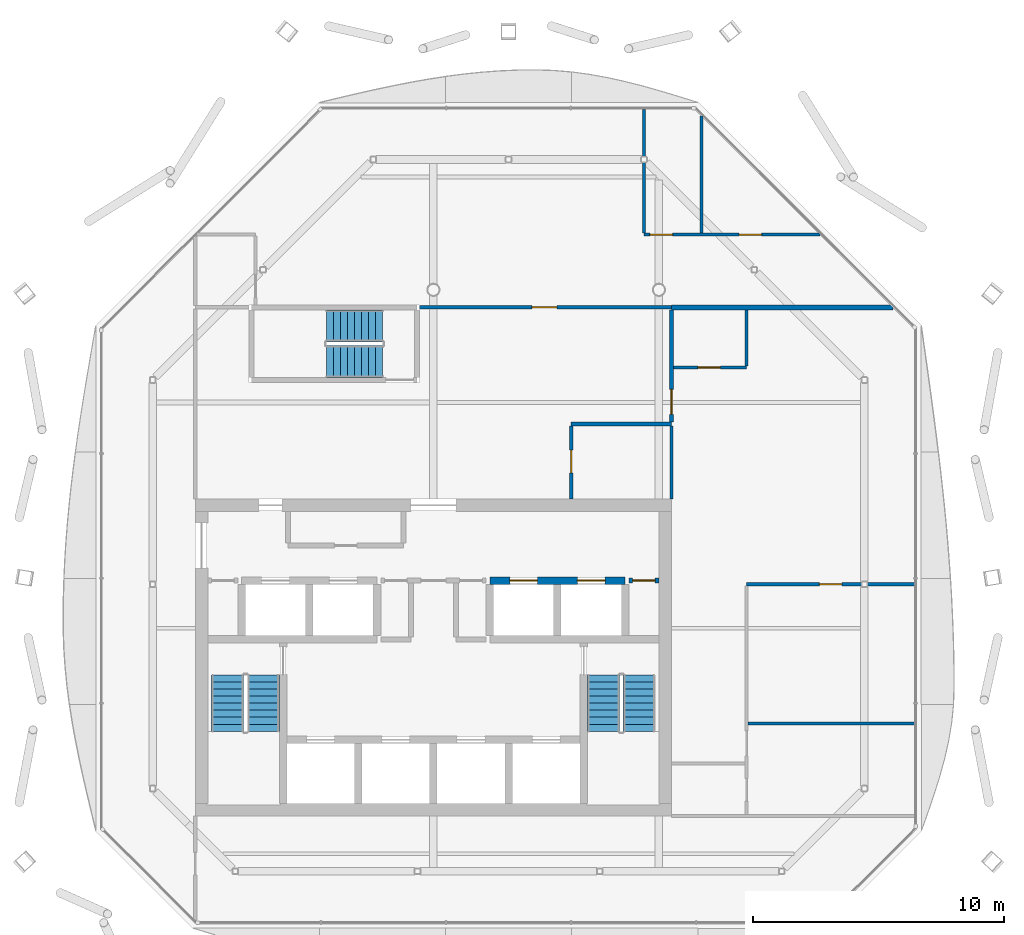
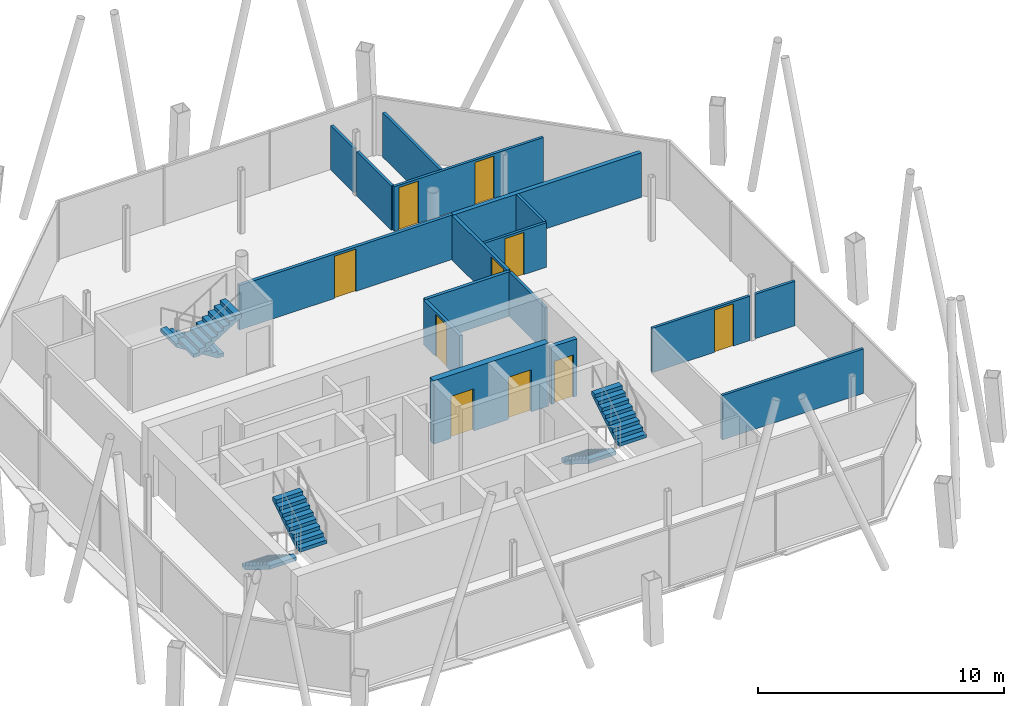
# One storey, part 11 of 14: 17 walls, 10 doors, 6 stair flights, 10 openings, 3 elements without a shape of their own.
"""IFC4 building model written with IfcOpenShell, lengths in metres."""

from ifc_helpers import new_model, si_unit, direction, frame, frame_2d, origin, place, context, subcontext, project, spatial, polyline, rectangle, outline, extrude, material, layer, layer_set, type_object, element, fill, aggregate, save


model = new_model("IFC4")

# Units and contexts
model_context = context("Model", 3, precision=1e-05, world=origin(), true_north=direction((0.0, 1.0)))
body_context = subcontext(model_context, "Body", "Model", "MODEL_VIEW")
ifc_project = project(units=[si_unit("LENGTHUNIT", "METRE"), si_unit("AREAUNIT", "SQUARE_METRE"), si_unit("VOLUMEUNIT", "CUBIC_METRE"), si_unit("PLANEANGLEUNIT", "RADIAN"), si_unit("MASSUNIT", "GRAM", prefix="KILO")], contexts=[model_context])

# Site, building, storey
site_placement = place(None, origin())
site = spatial("IfcSite", under=ifc_project, at=site_placement, CompositionType="ELEMENT")
building_placement = place(site_placement, origin())
building = spatial("IfcBuilding", under=site, at=building_placement, Name="Tskaro Facet Tower", CompositionType="ELEMENT")
storey_placement = place(building_placement, frame((0.0, 0.0, 268.949951171875)))
storey = spatial("IfcBuildingStorey", under=building, at=storey_placement, Name="L71", CompositionType="ELEMENT", Elevation=268.949951171875)

# Wall, openings, doors
ifc_material_1 = material(Name="Concrete C60/75", Category="concrete")
ifc_layer_1 = layer(ifc_material_1, 0.300048828125, Name="Concrete C60/75")
ifc_layer_set_1 = layer_set([ifc_layer_1], Name="Concrete C60/75")
wall_type_1 = type_object("IfcWallType", Name="CORE-SHAFT", PredefinedType="SHEAR", material=ifc_layer_set_1)
wall_1_placement = place(storey_placement, frame((2.25, -2.60009765625, 0.0), z_axis=(0.0, 0.0, 1.0), x_axis=(1.0, 0.0, 0.0)))
wall_1 = element("IfcWall", 1, at=wall_1_placement, inside=storey, type_object=wall_type_1, Name="Shaft wall W014", PredefinedType="SHEAR", context=body_context, shape_type="SweptSolid", body=[
    extrude(rectangle(XDim=5.39990234375, YDim=0.300048828125, at=frame_2d((2.699951171875, 0.0))), origin(), (0.0, 0.0, 1.0), 3.150146484375),
])
opening_1_placement = place(wall_1_placement, frame((0.800048828125, 0.0, 0.0)))
opening_1 = element("IfcOpeningElement", 2, at=opening_1_placement, cuts=wall_1, Name="Opening LD-HB3", PredefinedType="OPENING", context=body_context, shape_type="SweptSolid", body=[
    extrude(rectangle(XDim=1.10009765625, YDim=2.10009765625, at=frame_2d((0.550048828125, 1.050048828125))), frame((0.0, 0.159912109375, 0.0), z_axis=(0.0, -1.0, 0.0), x_axis=(1.0, 0.0, 0.0)), (0.0, 0.0, 1.0), 0.320068359375),
])
opening_2_placement = place(wall_1_placement, frame((3.5, 0.0, 0.0)))
opening_2 = element("IfcOpeningElement", 3, at=opening_2_placement, cuts=wall_1, Name="Opening LD-HB4", PredefinedType="OPENING", context=body_context, shape_type="SweptSolid", body=[
    extrude(rectangle(XDim=1.10009765625, YDim=2.10009765625, at=frame_2d((0.550048828125, 1.050048828125))), frame((0.0, 0.159912109375, 0.0), z_axis=(0.0, -1.0, 0.0), x_axis=(1.0, 0.0, 0.0)), (0.0, 0.0, 1.0), 0.320068359375),
])
ifc_material_2 = material(Name="Stainless steel", Category="steel")
door_type_1 = type_object("IfcDoorType", Name="D-LANDING", OperationType="NOTDEFINED", PredefinedType="DOOR", material=ifc_material_2)
door_1_placement = place(opening_1_placement, origin())
door_1 = element("IfcDoor", 4, at=door_1_placement, inside=storey, type_object=door_type_1, Name="Landing door HB3", OperationType="DOUBLE_DOOR_SLIDING", OverallHeight=2.10009765625, OverallWidth=1.10009765625, PredefinedType="DOOR", context=body_context, shape_type="SweptSolid", body=[
    extrude(rectangle(XDim=1.10009765625, YDim=2.10009765625, at=frame_2d((0.550048828125, 1.050048828125))), frame((0.0, 0.02490234375, 0.0), z_axis=(0.0, -1.0, 0.0), x_axis=(1.0, 0.0, 0.0)), (0.0, 0.0, 1.0), 0.050048828125),
])
fill(opening_1, door_1)
door_2_placement = place(opening_2_placement, origin())
door_2 = element("IfcDoor", 5, at=door_2_placement, inside=storey, type_object=door_type_1, Name="Landing door HB4", OperationType="DOUBLE_DOOR_SLIDING", OverallHeight=2.10009765625, OverallWidth=1.10009765625, PredefinedType="DOOR", context=body_context, shape_type="SweptSolid", body=[
    extrude(rectangle(XDim=1.10009765625, YDim=2.10009765625, at=frame_2d((0.550048828125, 1.050048828125))), frame((0.0, 0.02490234375, 0.0), z_axis=(0.0, -1.0, 0.0), x_axis=(1.0, 0.0, 0.0)), (0.0, 0.0, 1.0), 0.050048828125),
])
fill(opening_2, door_2)

# Wall, opening, door
ifc_material_3 = material(Name="Concrete C20/25", Category="concrete")
ifc_layer_2 = layer(ifc_material_3, 0.199951171875, Name="Concrete C20/25")
ifc_layer_set_2 = layer_set([ifc_layer_2], Name="Concrete C20/25")
wall_type_2 = type_object("IfcWallType", Name="CORE-WALL", PredefinedType="SOLIDWALL", material=ifc_layer_set_2)
wall_2_placement = place(storey_placement, frame((9.0, -2.60009765625, 0.0), z_axis=(0.0, 0.0, 1.0), x_axis=(-1.0, 0.0, 0.0)))
wall_2 = element("IfcWall", 6, at=wall_2_placement, inside=storey, type_object=wall_type_2, Name="Core room wall W015", PredefinedType="SOLIDWALL", context=body_context, shape_type="SweptSolid", body=[
    extrude(rectangle(XDim=1.199951171875, YDim=0.199951171875, at=frame_2d((0.60009765625, 0.0))), origin(), (0.0, 0.0, 1.0), 2.85009765625),
])
opening_3_placement = place(wall_2_placement, frame((0.14990234375, 0.0, 0.0)))
opening_3 = element("IfcOpeningElement", 7, at=opening_3_placement, cuts=wall_2, Name="Opening T21-D08", PredefinedType="OPENING", context=body_context, shape_type="SweptSolid", body=[
    extrude(rectangle(XDim=0.89990234375, YDim=2.10009765625, at=frame_2d((0.449951171875, 1.050048828125))), frame((0.0, 0.10986328125, 0.0), z_axis=(0.0, -1.0, 0.0), x_axis=(1.0, 0.0, 0.0)), (0.0, 0.0, 1.0), 0.219970703125),
])
ifc_material_4 = material(Name="Timber", Category="wood")
door_type_2 = type_object("IfcDoorType", Name="D-ROOM", OperationType="NOTDEFINED", PredefinedType="DOOR", material=ifc_material_4)
door_3_placement = place(opening_3_placement, origin())
door_3 = element("IfcDoor", 8, at=door_3_placement, inside=storey, type_object=door_type_2, Name="Door T21-D08", OperationType="SINGLE_SWING_RIGHT", OverallHeight=2.10009765625, OverallWidth=0.89990234375, PredefinedType="DOOR", context=body_context, shape_type="SweptSolid", body=[
    extrude(rectangle(XDim=0.89990234375, YDim=2.10009765625, at=frame_2d((0.449951171875, 1.050048828125))), frame((0.0, 0.02490234375, 0.0), z_axis=(0.0, -1.0, 0.0), x_axis=(1.0, 0.0, 0.0)), (0.0, 0.0, 1.0), 0.050048828125),
])
fill(opening_3, door_3)

# Wall
ifc_material_5 = material(Name="Gypsum board on steel studs", Category="steel")
ifc_layer_3 = layer(ifc_material_5, 0.125, Name="Gypsum board on steel studs")
ifc_layer_set_3 = layer_set([ifc_layer_3], Name="Gypsum board on steel studs")
wall_type_3 = type_object("IfcWallType", Name="PART", PredefinedType="PARTITIONING", material=ifc_layer_set_3)
wall_3_placement = place(storey_placement, frame((12.5625, -8.300048828125, 0.0), z_axis=(0.0, 0.0, 1.0), x_axis=(1.0, 0.0, 0.0)))
element("IfcWall", 9, at=wall_3_placement, inside=storey, type_object=wall_type_3, Name="Partition W004", PredefinedType="PARTITIONING", context=body_context, shape_type="SweptSolid", body=[
    extrude(rectangle(XDim=6.632568359375, YDim=0.125, at=frame_2d((3.31640625, 0.0))), origin(), (0.0, 0.0, 1.0), 2.2099609375),
])

# Wall, opening, door
wall_4_placement = place(storey_placement, frame((17.074951171875, -2.75, 0.0), z_axis=(0.0, 0.0, 1.0), x_axis=(-1.0, 0.0, 0.0)))
wall_4 = element("IfcWall", 10, at=wall_4_placement, inside=storey, type_object=wall_type_3, Name="Partition W009", PredefinedType="PARTITIONING", context=body_context, shape_type="SweptSolid", body=[
    extrude(rectangle(XDim=4.574951171875, YDim=0.125, at=frame_2d((2.28759765625, 0.0))), origin(), (0.0, 0.0, 1.0), 2.2099609375),
])
opening_4_placement = place(wall_4_placement, frame((0.777587890625, 0.0, 0.0)))
opening_4 = element("IfcOpeningElement", 11, at=opening_4_placement, cuts=wall_4, Name="Opening T21-D04", PredefinedType="OPENING", context=body_context, shape_type="SweptSolid", body=[
    extrude(rectangle(XDim=0.89990234375, YDim=2.10009765625, at=frame_2d((0.449951171875, 1.050048828125))), frame((0.0, 0.072509765625, 0.0), z_axis=(0.0, -1.0, 0.0), x_axis=(1.0, 0.0, 0.0)), (0.0, 0.0, 1.0), 0.14501953125),
])
door_4_placement = place(opening_4_placement, origin())
door_4 = element("IfcDoor", 12, at=door_4_placement, inside=storey, type_object=door_type_2, Name="Door T21-D04", OperationType="SINGLE_SWING_RIGHT", OverallHeight=2.10009765625, OverallWidth=0.89990234375, PredefinedType="DOOR", context=body_context, shape_type="SweptSolid", body=[
    extrude(rectangle(XDim=0.89990234375, YDim=2.10009765625, at=frame_2d((0.449951171875, 1.050048828125))), frame((0.0, 0.02490234375, 0.0), z_axis=(0.0, -1.0, 0.0), x_axis=(1.0, 0.0, 0.0)), (0.0, 0.0, 1.0), 0.050048828125),
])
fill(opening_4, door_4)

# Wall
wall_5_placement = place(storey_placement, frame((17.324951171875, -2.75, 0.0), z_axis=(0.0, 0.0, 1.0), x_axis=(1.0, 0.0, 0.0)))
element("IfcWall", 13, at=wall_5_placement, inside=storey, type_object=wall_type_3, Name="Partition W010", PredefinedType="PARTITIONING", context=body_context, shape_type="SweptSolid", body=[
    extrude(rectangle(XDim=1.8701171875, YDim=0.125, at=frame_2d((0.93505859375, 0.0))), origin(), (0.0, 0.0, 1.0), 2.2099609375),
])

# Wall, opening, door
wall_6_placement = place(storey_placement, frame((9.574951171875, 5.89990234375, 0.0), z_axis=(0.0, 0.0, 1.0), x_axis=(1.0, 0.0, 0.0)))
wall_6 = element("IfcWall", 14, at=wall_6_placement, inside=storey, type_object=wall_type_3, Name="Partition W019", PredefinedType="PARTITIONING", context=body_context, shape_type="SweptSolid", body=[
    extrude(rectangle(XDim=2.925048828125, YDim=0.125, at=frame_2d((1.46240234375, 0.0))), origin(), (0.0, 0.0, 1.0), 2.2099609375),
])
opening_5_placement = place(wall_6_placement, frame((0.97509765625, 0.0, 0.0)))
opening_5 = element("IfcOpeningElement", 15, at=opening_5_placement, cuts=wall_6, Name="Opening T21-D15", PredefinedType="OPENING", context=body_context, shape_type="SweptSolid", body=[
    extrude(rectangle(XDim=0.89990234375, YDim=2.10009765625, at=frame_2d((0.449951171875, 1.050048828125))), frame((0.0, 0.072509765625, 0.0), z_axis=(0.0, -1.0, 0.0), x_axis=(1.0, 0.0, 0.0)), (0.0, 0.0, 1.0), 0.14501953125),
])
door_5_placement = place(opening_5_placement, origin())
door_5 = element("IfcDoor", 16, at=door_5_placement, inside=storey, type_object=door_type_2, Name="Door T21-D15", OperationType="SINGLE_SWING_LEFT", OverallHeight=2.10009765625, OverallWidth=0.89990234375, PredefinedType="DOOR", context=body_context, shape_type="SweptSolid", body=[
    extrude(rectangle(XDim=0.89990234375, YDim=2.10009765625, at=frame_2d((0.449951171875, 1.050048828125))), frame((0.0, 0.02490234375, 0.0), z_axis=(0.0, -1.0, 0.0), x_axis=(1.0, 0.0, 0.0)), (0.0, 0.0, 1.0), 0.050048828125),
])
fill(opening_5, door_5)

# Wall, openings, doors
wall_7_placement = place(storey_placement, frame((8.405029296875, 11.199951171875, 0.0), z_axis=(0.0, 0.0, 1.0), x_axis=(1.0, 0.0, 0.0)))
wall_7 = element("IfcWall", 17, at=wall_7_placement, inside=storey, type_object=wall_type_3, Name="Partition W025", PredefinedType="PARTITIONING", context=body_context, shape_type="SweptSolid", body=[
    extrude(rectangle(XDim=7.028076171875, YDim=0.125, at=frame_2d((3.51416015625, 0.0))), origin(), (0.0, 0.0, 1.0), 2.2099609375),
])
opening_6_placement = place(wall_7_placement, frame((3.7900390625, 0.0, 0.0)))
opening_6 = element("IfcOpeningElement", 18, at=opening_6_placement, cuts=wall_7, Name="Opening T21-D19", PredefinedType="OPENING", context=body_context, shape_type="SweptSolid", body=[
    extrude(rectangle(XDim=0.89990234375, YDim=2.10009765625, at=frame_2d((0.449951171875, 1.050048828125))), frame((0.0, 0.072509765625, 0.0), z_axis=(0.0, -1.0, 0.0), x_axis=(1.0, 0.0, 0.0)), (0.0, 0.0, 1.0), 0.14501953125),
])
opening_7_placement = place(wall_7_placement, frame((0.237548828125, 0.0, 0.0)))
opening_7 = element("IfcOpeningElement", 19, at=opening_7_placement, cuts=wall_7, Name="Opening T21-D18", PredefinedType="OPENING", context=body_context, shape_type="SweptSolid", body=[
    extrude(rectangle(XDim=0.89990234375, YDim=2.10009765625, at=frame_2d((0.449951171875, 1.050048828125))), frame((0.0, 0.072509765625, 0.0), z_axis=(0.0, -1.0, 0.0), x_axis=(1.0, 0.0, 0.0)), (0.0, 0.0, 1.0), 0.14501953125),
])
door_6_placement = place(opening_6_placement, origin())
door_6 = element("IfcDoor", 20, at=door_6_placement, inside=storey, type_object=door_type_2, Name="Door T21-D19", OperationType="SINGLE_SWING_LEFT", OverallHeight=2.10009765625, OverallWidth=0.89990234375, PredefinedType="DOOR", context=body_context, shape_type="SweptSolid", body=[
    extrude(rectangle(XDim=0.89990234375, YDim=2.10009765625, at=frame_2d((0.449951171875, 1.050048828125))), frame((0.0, 0.02490234375, 0.0), z_axis=(0.0, -1.0, 0.0), x_axis=(1.0, 0.0, 0.0)), (0.0, 0.0, 1.0), 0.050048828125),
])
fill(opening_6, door_6)
door_7_placement = place(opening_7_placement, origin())
door_7 = element("IfcDoor", 21, at=door_7_placement, inside=storey, type_object=door_type_2, Name="Door T21-D18", OperationType="SINGLE_SWING_LEFT", OverallHeight=2.10009765625, OverallWidth=0.89990234375, PredefinedType="DOOR", context=body_context, shape_type="SweptSolid", body=[
    extrude(rectangle(XDim=0.89990234375, YDim=2.10009765625, at=frame_2d((0.449951171875, 1.050048828125))), frame((0.0, 0.02490234375, 0.0), z_axis=(0.0, -1.0, 0.0), x_axis=(1.0, 0.0, 0.0)), (0.0, 0.0, 1.0), 0.050048828125),
])
fill(opening_7, door_7)

# Walls
wall_8_placement = place(storey_placement, frame((8.405029296875, 11.262451171875, 0.0), z_axis=(0.0, 0.0, 1.0), x_axis=(0.0, 1.0, 0.0)))
element("IfcWall", 22, at=wall_8_placement, inside=storey, type_object=wall_type_3, Name="Partition W048", PredefinedType="PARTITIONING", context=body_context, shape_type="SweptSolid", body=[
    extrude(rectangle(XDim=2.8125, YDim=0.125, at=frame_2d((1.40625, 0.0))), origin(), (0.0, 0.0, 1.0), 2.2099609375),
])
wall_9_placement = place(storey_placement, frame((8.405029296875, 14.324951171875, 0.0), z_axis=(0.0, 0.0, 1.0), x_axis=(0.0, 1.0, 0.0)))
element("IfcWall", 23, at=wall_9_placement, inside=storey, type_object=wall_type_3, Name="Partition W049", PredefinedType="PARTITIONING", context=body_context, shape_type="SweptSolid", body=[
    extrude(rectangle(XDim=1.8701171875, YDim=0.125, at=frame_2d((0.93505859375, 0.0))), origin(), (0.0, 0.0, 1.0), 2.2099609375),
])
wall_10_placement = place(storey_placement, frame((9.5, 0.64990234375, 0.0), z_axis=(0.0, 0.0, 1.0), x_axis=(0.0, 1.0, 0.0)))
element("IfcWall", 24, at=wall_10_placement, inside=storey, type_object=wall_type_3, Name="Partition W050", PredefinedType="PARTITIONING", context=body_context, shape_type="SweptSolid", body=[
    extrude(rectangle(XDim=2.925048828125, YDim=0.125, at=frame_2d((1.46240234375, 0.0))), origin(), (0.0, 0.0, 1.0), 2.2099609375),
])
wall_11_placement = place(storey_placement, frame((10.695068359375, 11.262451171875, 0.0), z_axis=(0.0, 0.0, 1.0), x_axis=(0.0, 1.0, 0.0)))
element("IfcWall", 25, at=wall_11_placement, inside=storey, type_object=wall_type_3, Name="Partition W052", PredefinedType="PARTITIONING", context=body_context, shape_type="SweptSolid", body=[
    extrude(rectangle(XDim=4.675537109375, YDim=0.125, at=frame_2d((2.337890625, 0.0))), origin(), (0.0, 0.0, 1.0), 2.2099609375),
])
wall_12_placement = place(storey_placement, frame((12.5, 5.96240234375, 0.0), z_axis=(0.0, 0.0, 1.0), x_axis=(0.0, 1.0, 0.0)))
element("IfcWall", 26, at=wall_12_placement, inside=storey, type_object=wall_type_3, Name="Partition W054", PredefinedType="PARTITIONING", context=body_context, shape_type="SweptSolid", body=[
    extrude(rectangle(XDim=2.237548828125, YDim=0.125, at=frame_2d((1.11865234375, 0.0))), origin(), (0.0, 0.0, 1.0), 2.2099609375),
])
ifc_layer_4 = layer(ifc_material_5, 0.14990234375, Name="Gypsum board on steel studs")
ifc_layer_set_4 = layer_set([ifc_layer_4], Name="Gypsum board on steel studs")
wall_type_4 = type_object("IfcWallType", Name="PART-CORR", PredefinedType="PARTITIONING", material=ifc_layer_set_4)
wall_13_placement = place(storey_placement, frame((5.5, 3.64990234375, 0.0), z_axis=(0.0, 0.0, 1.0), x_axis=(1.0, 0.0, 0.0)))
element("IfcWall", 27, at=wall_13_placement, inside=storey, type_object=wall_type_4, Name="Corridor wall W017", PredefinedType="PARTITIONING", context=body_context, shape_type="SweptSolid", body=[
    extrude(rectangle(XDim=4.0, YDim=0.14990234375, at=frame_2d((2.0, 0.0))), origin(), (0.0, 0.0, 1.0), 2.2099609375),
])

# Wall, opening, door
wall_14_placement = place(storey_placement, frame((-0.550048828125, 8.300048828125, 0.0), z_axis=(0.0, 0.0, 1.0), x_axis=(1.0, 0.0, 0.0)))
wall_14 = element("IfcWall", 28, at=wall_14_placement, inside=storey, type_object=wall_type_4, Name="Corridor wall W022", PredefinedType="PARTITIONING", context=body_context, shape_type="SweptSolid", body=[
    extrude(rectangle(XDim=10.050048828125, YDim=0.14990234375, at=frame_2d((5.02490234375, 0.0))), origin(), (0.0, 0.0, 1.0), 2.2099609375),
])
opening_8_placement = place(wall_14_placement, frame((4.47509765625, 0.0, 0.0)))
opening_8 = element("IfcOpeningElement", 29, at=opening_8_placement, cuts=wall_14, Name="Opening T21-D16", PredefinedType="OPENING", context=body_context, shape_type="SweptSolid", body=[
    extrude(rectangle(XDim=1.0, YDim=2.10009765625, at=frame_2d((0.5, 1.050048828125))), frame((0.0, 0.0849609375, 0.0), z_axis=(0.0, -1.0, 0.0), x_axis=(1.0, 0.0, 0.0)), (0.0, 0.0, 1.0), 0.169921875),
])
door_type_3 = type_object("IfcDoorType", Name="D-FLAT-ENTRY", OperationType="NOTDEFINED", PredefinedType="DOOR", material=ifc_material_4)
door_8_placement = place(opening_8_placement, origin())
door_8 = element("IfcDoor", 30, at=door_8_placement, inside=storey, type_object=door_type_3, Name="Door T21-D16", OperationType="SINGLE_SWING_LEFT", OverallHeight=2.10009765625, OverallWidth=1.0, PredefinedType="DOOR", context=body_context, shape_type="SweptSolid", body=[
    extrude(rectangle(XDim=1.0, YDim=2.10009765625, at=frame_2d((0.5, 1.050048828125))), frame((0.0, 0.02490234375, 0.0), z_axis=(0.0, -1.0, 0.0), x_axis=(1.0, 0.0, 0.0)), (0.0, 0.0, 1.0), 0.050048828125),
])
fill(opening_8, door_8)

wall_15_placement = place(storey_placement, frame((5.5, 3.574951171875, 0.0), z_axis=(0.0, 0.0, 1.0), x_axis=(0.0, -1.0, 0.0)))
wall_15 = element("IfcWall", 31, at=wall_15_placement, inside=storey, type_object=wall_type_4, Name="Corridor wall W045", PredefinedType="PARTITIONING", context=body_context, shape_type="SweptSolid", body=[
    extrude(rectangle(XDim=2.925048828125, YDim=0.14990234375, at=frame_2d((1.46240234375, 0.0))), origin(), (0.0, 0.0, 1.0), 2.2099609375),
])
opening_9_placement = place(wall_15_placement, frame((0.97509765625, 0.0, 0.0)))
opening_9 = element("IfcOpeningElement", 32, at=opening_9_placement, cuts=wall_15, Name="Opening T21-D13", PredefinedType="OPENING", context=body_context, shape_type="SweptSolid", body=[
    extrude(rectangle(XDim=0.89990234375, YDim=2.10009765625, at=frame_2d((0.449951171875, 1.050048828125))), frame((0.0, 0.0849609375, 0.0), z_axis=(0.0, -1.0, 0.0), x_axis=(1.0, 0.0, 0.0)), (0.0, 0.0, 1.0), 0.169921875),
])
door_9_placement = place(opening_9_placement, origin())
door_9 = element("IfcDoor", 33, at=door_9_placement, inside=storey, type_object=door_type_2, Name="Door T21-D13", OperationType="SINGLE_SWING_RIGHT", OverallHeight=2.10009765625, OverallWidth=0.89990234375, PredefinedType="DOOR", context=body_context, shape_type="SweptSolid", body=[
    extrude(rectangle(XDim=0.89990234375, YDim=2.10009765625, at=frame_2d((0.449951171875, 1.050048828125))), frame((0.0, 0.02490234375, 0.0), z_axis=(0.0, -1.0, 0.0), x_axis=(1.0, 0.0, 0.0)), (0.0, 0.0, 1.0), 0.050048828125),
])
fill(opening_9, door_9)

wall_16_placement = place(storey_placement, frame((9.5, 8.199951171875, 0.0), z_axis=(0.0, 0.0, 1.0), x_axis=(0.0, -1.0, 0.0)))
wall_16 = element("IfcWall", 34, at=wall_16_placement, inside=storey, type_object=wall_type_4, Name="Corridor wall W051", PredefinedType="PARTITIONING", context=body_context, shape_type="SweptSolid", body=[
    extrude(rectangle(XDim=4.474853515625, YDim=0.14990234375, at=frame_2d((2.2373046875, 0.0))), origin(), (0.0, 0.0, 1.0), 2.2099609375),
])
opening_10_placement = place(wall_16_placement, frame((3.175048828125, 0.0, 0.0)))
opening_10 = element("IfcOpeningElement", 35, at=opening_10_placement, cuts=wall_16, Name="Opening T21-D14", PredefinedType="OPENING", context=body_context, shape_type="SweptSolid", body=[
    extrude(rectangle(XDim=1.0, YDim=2.10009765625, at=frame_2d((0.5, 1.050048828125))), frame((0.0, 0.0849609375, 0.0), z_axis=(0.0, -1.0, 0.0), x_axis=(1.0, 0.0, 0.0)), (0.0, 0.0, 1.0), 0.169921875),
])
door_10_placement = place(opening_10_placement, origin())
door_10 = element("IfcDoor", 36, at=door_10_placement, inside=storey, type_object=door_type_3, Name="Door T21-D14", OperationType="SINGLE_SWING_LEFT", OverallHeight=2.10009765625, OverallWidth=1.0, PredefinedType="DOOR", context=body_context, shape_type="SweptSolid", body=[
    extrude(rectangle(XDim=1.0, YDim=2.10009765625, at=frame_2d((0.5, 1.050048828125))), frame((0.0, 0.02490234375, 0.0), z_axis=(0.0, -1.0, 0.0), x_axis=(1.0, 0.0, 0.0)), (0.0, 0.0, 1.0), 0.050048828125),
])
fill(opening_10, door_10)

# Wall
ifc_layer_5 = layer(ifc_material_5, 0.199951171875, Name="Gypsum board on steel studs")
ifc_layer_set_5 = layer_set([ifc_layer_5], Name="Gypsum board on steel studs")
wall_type_5 = type_object("IfcWallType", Name="PART-DEMISING", PredefinedType="PARTITIONING", material=ifc_layer_set_5)
wall_17_placement = place(storey_placement, frame((9.5, 8.300048828125, 0.0), z_axis=(0.0, 0.0, 1.0), x_axis=(1.0, 0.0, 0.0)))
element("IfcWall", 37, at=wall_17_placement, inside=storey, type_object=wall_type_5, Name="Guest room wall W023", PredefinedType="PARTITIONING", context=body_context, shape_type="SweptSolid", body=[
    extrude(rectangle(XDim=8.8330078125, YDim=0.199951171875, at=frame_2d((4.41650390625, 0.0))), origin(), (0.0, 0.0, 1.0), 2.2099609375),
])

# Stair, stair flights
ifc_material_6 = material(Name="Concrete C40/50", Category="concrete")
stair_type = type_object("IfcStairType", Name="ST-TWR", PredefinedType="HALF_TURN_STAIR", material=ifc_material_6)
stair_1_placement = place(storey_placement, origin())
stair_1 = element("IfcStair", 38, at=stair_1_placement, inside=storey, type_object=stair_type, Name="L71 Exit stair 1", PredefinedType="HALF_TURN_STAIR")
stair_flight_type = type_object("IfcStairFlightType", Name="SFL-RC", PredefinedType="STRAIGHT", material=ifc_material_6)
stair_flight_1_placement = place(storey_placement, frame((-8.21240234375, -6.375, 0.0), z_axis=(0.0, 0.0, 1.0), x_axis=(0.0, -1.0, 0.0)))
stair_flight_1 = element("IfcStairFlight", 39, at=stair_flight_1_placement, type_object=stair_flight_type, Name="ST-1 flight 1", NumberOfRisers=9, NumberOfTreads=8, PredefinedType="STRAIGHT", RiserHeight=0.175, TreadLength=0.28, context=body_context, shape_type="SweptSolid", body=[
    extrude(outline(polyline([(0.0, 0.0), (0.0, 0.175048828125), (0.280029296875, 0.175048828125), (0.280029296875, 0.35009765625), (0.56005859375, 0.35009765625), (0.56005859375, 0.52490234375), (0.840087890625, 0.52490234375), (0.840087890625, 0.699951171875), (1.1201171875, 0.699951171875), (1.1201171875, 0.875), (1.39990234375, 0.875), (1.39990234375, 1.050048828125), (1.679931640625, 1.050048828125), (1.679931640625, 1.22509765625), (1.9599609375, 1.22509765625), (1.9599609375, 1.39990234375), (2.239990234375, 1.39990234375), (2.239990234375, 1.574951171875), (2.239990234375, 1.22314453125), (0.28271484375, 0.0), (0.0, 0.0)])), frame((0.0, 0.637451171875, 0.0), z_axis=(0.0, -1.0, 0.0), x_axis=(1.0, 0.0, 0.0)), (0.0, 0.0, 1.0), 1.27490234375),
])
stair_flight_2_placement = place(storey_placement, frame((-6.78759765625, -8.614990234375, 1.574951171875), z_axis=(0.0, 0.0, 1.0), x_axis=(0.0, 1.0, 0.0)))
stair_flight_2 = element("IfcStairFlight", 40, at=stair_flight_2_placement, type_object=stair_flight_type, Name="ST-1 flight 2", NumberOfRisers=9, NumberOfTreads=8, PredefinedType="STRAIGHT", RiserHeight=0.175, TreadLength=0.28, context=body_context, shape_type="SweptSolid", body=[
    extrude(outline(polyline([(0.0, 0.0), (0.0, 0.175048828125), (0.280029296875, 0.175048828125), (0.280029296875, 0.35009765625), (0.56005859375, 0.35009765625), (0.56005859375, 0.52490234375), (0.840087890625, 0.52490234375), (0.840087890625, 0.699951171875), (1.1201171875, 0.699951171875), (1.1201171875, 0.875), (1.39990234375, 0.875), (1.39990234375, 1.050048828125), (1.679931640625, 1.050048828125), (1.679931640625, 1.22509765625), (1.9599609375, 1.22509765625), (1.9599609375, 1.39990234375), (2.239990234375, 1.39990234375), (2.239990234375, 1.574951171875), (2.239990234375, 1.22314453125), (0.28271484375, 0.0), (0.0, 0.0)])), frame((0.0, 0.637451171875, 0.0), z_axis=(0.0, -1.0, 0.0), x_axis=(1.0, 0.0, 0.0)), (0.0, 0.0, 1.0), 1.27490234375),
])
aggregate(stair_1, [stair_flight_1, stair_flight_2])

stair_2_placement = place(storey_placement, origin())
stair_2 = element("IfcStair", 41, at=stair_2_placement, inside=storey, type_object=stair_type, Name="L71 Exit stair 2", PredefinedType="HALF_TURN_STAIR")
stair_flight_3_placement = place(storey_placement, frame((6.78759765625, -6.375, 0.0), z_axis=(0.0, 0.0, 1.0), x_axis=(0.0, -1.0, 0.0)))
stair_flight_3 = element("IfcStairFlight", 42, at=stair_flight_3_placement, type_object=stair_flight_type, Name="ST-2 flight 1", NumberOfRisers=9, NumberOfTreads=8, PredefinedType="STRAIGHT", RiserHeight=0.175, TreadLength=0.28, context=body_context, shape_type="SweptSolid", body=[
    extrude(outline(polyline([(0.0, 0.0), (0.0, 0.175048828125), (0.280029296875, 0.175048828125), (0.280029296875, 0.35009765625), (0.56005859375, 0.35009765625), (0.56005859375, 0.52490234375), (0.840087890625, 0.52490234375), (0.840087890625, 0.699951171875), (1.1201171875, 0.699951171875), (1.1201171875, 0.875), (1.39990234375, 0.875), (1.39990234375, 1.050048828125), (1.679931640625, 1.050048828125), (1.679931640625, 1.22509765625), (1.9599609375, 1.22509765625), (1.9599609375, 1.39990234375), (2.239990234375, 1.39990234375), (2.239990234375, 1.574951171875), (2.239990234375, 1.22314453125), (0.28271484375, 0.0), (0.0, 0.0)])), frame((0.0, 0.637451171875, 0.0), z_axis=(0.0, -1.0, 0.0), x_axis=(1.0, 0.0, 0.0)), (0.0, 0.0, 1.0), 1.27490234375),
])
stair_flight_4_placement = place(storey_placement, frame((8.21240234375, -8.614990234375, 1.574951171875), z_axis=(0.0, 0.0, 1.0), x_axis=(0.0, 1.0, 0.0)))
stair_flight_4 = element("IfcStairFlight", 43, at=stair_flight_4_placement, type_object=stair_flight_type, Name="ST-2 flight 2", NumberOfRisers=9, NumberOfTreads=8, PredefinedType="STRAIGHT", RiserHeight=0.175, TreadLength=0.28, context=body_context, shape_type="SweptSolid", body=[
    extrude(outline(polyline([(0.0, 0.0), (0.0, 0.175048828125), (0.280029296875, 0.175048828125), (0.280029296875, 0.35009765625), (0.56005859375, 0.35009765625), (0.56005859375, 0.52490234375), (0.840087890625, 0.52490234375), (0.840087890625, 0.699951171875), (1.1201171875, 0.699951171875), (1.1201171875, 0.875), (1.39990234375, 0.875), (1.39990234375, 1.050048828125), (1.679931640625, 1.050048828125), (1.679931640625, 1.22509765625), (1.9599609375, 1.22509765625), (1.9599609375, 1.39990234375), (2.239990234375, 1.39990234375), (2.239990234375, 1.574951171875), (2.239990234375, 1.22314453125), (0.28271484375, 0.0), (0.0, 0.0)])), frame((0.0, 0.637451171875, 0.0), z_axis=(0.0, -1.0, 0.0), x_axis=(1.0, 0.0, 0.0)), (0.0, 0.0, 1.0), 1.27490234375),
])
aggregate(stair_2, [stair_flight_3, stair_flight_4])

stair_3_placement = place(storey_placement, origin())
stair_3 = element("IfcStair", 44, at=stair_3_placement, inside=storey, type_object=stair_type, Name="L71 Exit stair 3", PredefinedType="HALF_TURN_STAIR")
stair_flight_5_placement = place(storey_placement, frame((-2.02490234375, 7.5625, 0.0), z_axis=(0.0, 0.0, 1.0), x_axis=(-1.0, 0.0, 0.0)))
stair_flight_5 = element("IfcStairFlight", 45, at=stair_flight_5_placement, type_object=stair_flight_type, Name="ST-3 flight 1", NumberOfRisers=9, NumberOfTreads=8, PredefinedType="STRAIGHT", RiserHeight=0.175, TreadLength=0.28, context=body_context, shape_type="SweptSolid", body=[
    extrude(outline(polyline([(0.0, 0.0), (0.0, 0.175048828125), (0.280029296875, 0.175048828125), (0.280029296875, 0.35009765625), (0.56005859375, 0.35009765625), (0.56005859375, 0.52490234375), (0.840087890625, 0.52490234375), (0.840087890625, 0.699951171875), (1.1201171875, 0.699951171875), (1.1201171875, 0.875), (1.39990234375, 0.875), (1.39990234375, 1.050048828125), (1.679931640625, 1.050048828125), (1.679931640625, 1.22509765625), (1.9599609375, 1.22509765625), (1.9599609375, 1.39990234375), (2.239990234375, 1.39990234375), (2.239990234375, 1.574951171875), (2.239990234375, 1.22314453125), (0.28271484375, 0.0), (0.0, 0.0)])), frame((0.0, 0.637451171875, 0.0), z_axis=(0.0, -1.0, 0.0), x_axis=(1.0, 0.0, 0.0)), (0.0, 0.0, 1.0), 1.27490234375),
])
stair_flight_6_placement = place(storey_placement, frame((-4.264892578125, 6.137451171875, 1.574951171875), z_axis=(0.0, 0.0, 1.0), x_axis=(1.0, 0.0, 0.0)))
stair_flight_6 = element("IfcStairFlight", 46, at=stair_flight_6_placement, type_object=stair_flight_type, Name="ST-3 flight 2", NumberOfRisers=9, NumberOfTreads=8, PredefinedType="STRAIGHT", RiserHeight=0.175, TreadLength=0.28, context=body_context, shape_type="SweptSolid", body=[
    extrude(outline(polyline([(0.0, 0.0), (0.0, 0.175048828125), (0.280029296875, 0.175048828125), (0.280029296875, 0.35009765625), (0.56005859375, 0.35009765625), (0.56005859375, 0.52490234375), (0.840087890625, 0.52490234375), (0.840087890625, 0.699951171875), (1.1201171875, 0.699951171875), (1.1201171875, 0.875), (1.39990234375, 0.875), (1.39990234375, 1.050048828125), (1.679931640625, 1.050048828125), (1.679931640625, 1.22509765625), (1.9599609375, 1.22509765625), (1.9599609375, 1.39990234375), (2.239990234375, 1.39990234375), (2.239990234375, 1.574951171875), (2.239990234375, 1.22314453125), (0.28271484375, 0.0), (0.0, 0.0)])), frame((0.0, 0.637451171875, 0.0), z_axis=(0.0, -1.0, 0.0), x_axis=(1.0, 0.0, 0.0)), (0.0, 0.0, 1.0), 1.27490234375),
])
aggregate(stair_3, [stair_flight_5, stair_flight_6])

save(model, "model.ifc")
